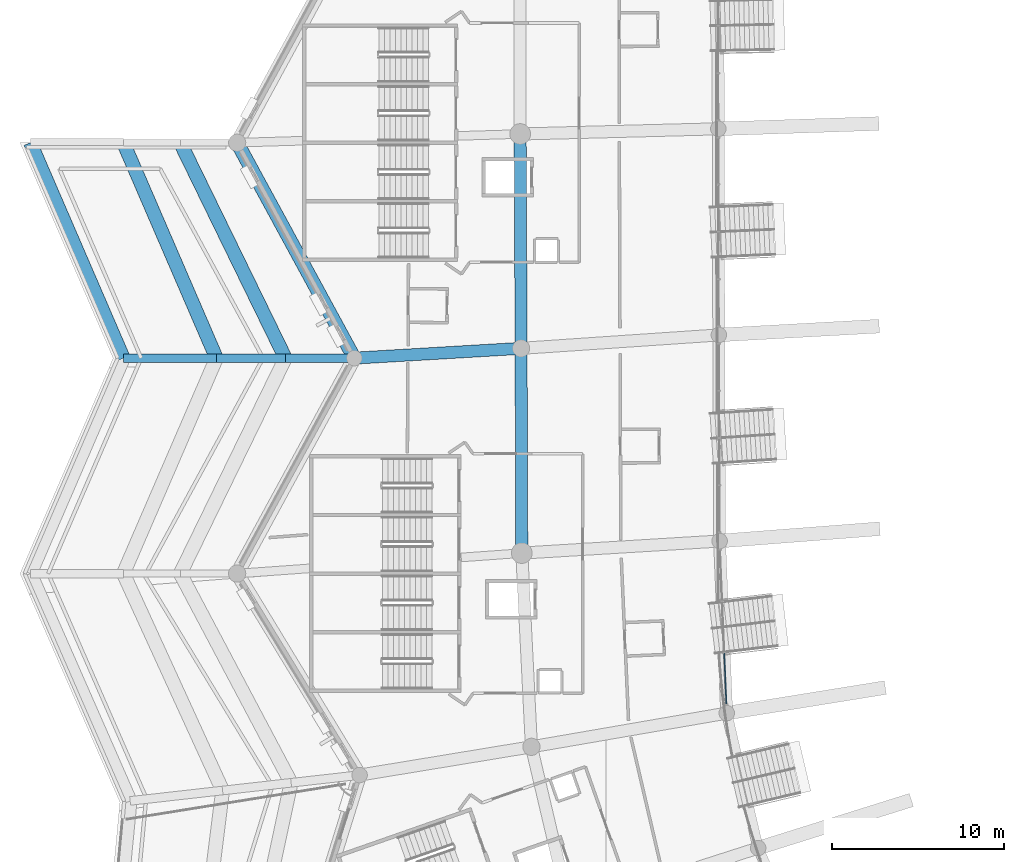
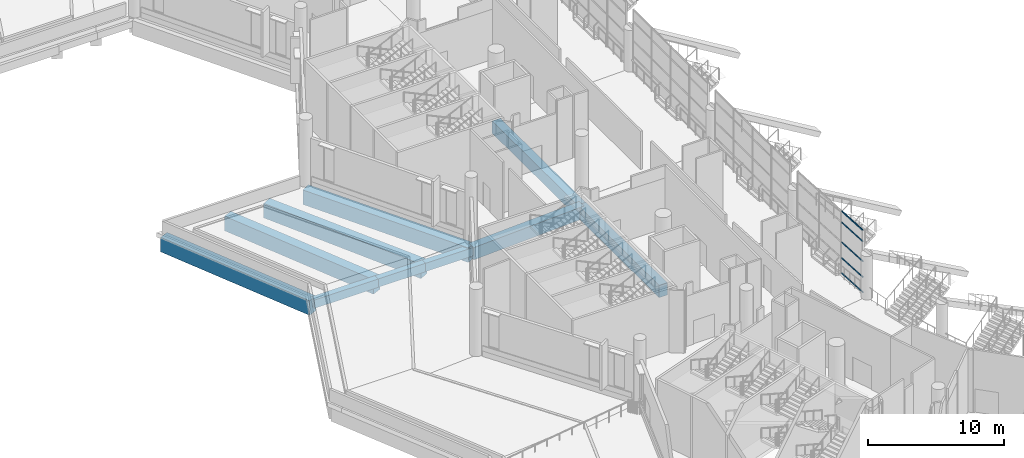
# One storey, part 6 of 173: 10 beams, 5 members, 1 element without a shape of its own.
"""IFC4 building model written with IfcOpenShell, lengths in metres."""

from ifc_helpers import new_model, si_unit, direction, frame, origin, origin_2d, place, context, subcontext, project, spatial, rectangle, extrude, material, layer, layer_set, material_profile, profile_set, type_object, element, aggregate, save


model = new_model("IFC4")

# Units and contexts
model_context = context("Model", 3, precision=1e-05, world=origin(), true_north=direction((0.0, 1.0)))
body_context = subcontext(model_context, "Body", "Model", "MODEL_VIEW")
ifc_project = project(units=[si_unit("LENGTHUNIT", "METRE"), si_unit("AREAUNIT", "SQUARE_METRE"), si_unit("VOLUMEUNIT", "CUBIC_METRE"), si_unit("PLANEANGLEUNIT", "RADIAN"), si_unit("MASSUNIT", "GRAM", prefix="KILO")], contexts=[model_context])

# Site, building, storey
site_placement = place(None, origin())
site = spatial("IfcSite", under=ifc_project, at=site_placement, CompositionType="ELEMENT")
building_placement = place(site_placement, origin())
building = spatial("IfcBuilding", under=site, at=building_placement, Name="Meseta Stadium", CompositionType="ELEMENT")
storey_placement = place(building_placement, frame((0.0, 0.0, 18.0)))
storey = spatial("IfcBuildingStorey", under=building, at=storey_placement, Name="L03", CompositionType="ELEMENT", Elevation=18.0)

# Curtain wall, members
ifc_material_1 = material(Name="Aluminium", Category="aluminium")
ifc_layer = layer(ifc_material_1, 0.25)
ifc_layer_set = layer_set([ifc_layer], Name="Media Centre glazing curtain wall")
curtain_wall_type = type_object("IfcCurtainWallType", Name="Media Centre glazing curtain wall", PredefinedType="NOTDEFINED", material=ifc_layer_set)
curtain_wall_placement = place(storey_placement, origin())
curtain_wall = element("IfcCurtainWall", 1, at=curtain_wall_placement, inside=storey, type_object=curtain_wall_type, Name="Media Centre glazing bay 36", PredefinedType="NOTDEFINED")
ifc_material_2 = material(Name="Aluminium", Category="aluminium")
ifc_material_profile_1 = material_profile(ifc_material_2, rectangle(XDim=0.06005859375, YDim=0.1201171875, at=origin_2d()), Name="CW 60x120")
ifc_profile_set_1 = profile_set([ifc_material_profile_1], Name="Aluminium")
member_type = type_object("IfcMemberType", Name="CW transom 60x120", PredefinedType="USERDEFINED", material=ifc_profile_set_1)
member_1_placement = place(storey_placement, frame((-73.13525390625, -48.38720703125, 0.06005859375), z_axis=(0.041293286358, -0.999147068505, 0.0), x_axis=(0.999147068505, 0.041293286358, 0.0)))
member_1 = element("IfcMember", 2, at=member_1_placement, type_object=member_type, Name="CWM transom 3.1", ObjectType="TRANSOM", PredefinedType="USERDEFINED", context=body_context, shape_type="SweptSolid", body=[
    extrude(rectangle(XDim=0.06005859375, YDim=0.1201171875, at=origin_2d()), origin(), (0.0, 0.0, 1.0), 2.920654296875),
])
member_2_placement = place(storey_placement, frame((-73.13525390625, -48.38720703125, 1.41259765625), z_axis=(0.041293286358, -0.999147068505, 0.0), x_axis=(0.999147068505, 0.041293286358, 0.0)))
member_2 = element("IfcMember", 3, at=member_2_placement, type_object=member_type, Name="CWM transom 3.2", ObjectType="TRANSOM", PredefinedType="USERDEFINED", context=body_context, shape_type="SweptSolid", body=[
    extrude(rectangle(XDim=0.06005859375, YDim=0.1201171875, at=origin_2d()), origin(), (0.0, 0.0, 1.0), 2.920654296875),
])
member_3_placement = place(storey_placement, frame((-73.13525390625, -48.38720703125, 2.824951171875), z_axis=(0.041293286358, -0.999147068505, 0.0), x_axis=(0.999147068505, 0.041293286358, 0.0)))
member_3 = element("IfcMember", 4, at=member_3_placement, type_object=member_type, Name="CWM transom 3.3", ObjectType="TRANSOM", PredefinedType="USERDEFINED", context=body_context, shape_type="SweptSolid", body=[
    extrude(rectangle(XDim=0.06005859375, YDim=0.1201171875, at=origin_2d()), origin(), (0.0, 0.0, 1.0), 2.920654296875),
])
member_4_placement = place(storey_placement, frame((-73.13525390625, -48.38720703125, 4.604736328125), z_axis=(0.041293286358, -0.999147068505, 0.0), x_axis=(0.999147068505, 0.041293286358, 0.0)))
member_4 = element("IfcMember", 5, at=member_4_placement, type_object=member_type, Name="CWM transom 3.4", ObjectType="TRANSOM", PredefinedType="USERDEFINED", context=body_context, shape_type="SweptSolid", body=[
    extrude(rectangle(XDim=0.06005859375, YDim=0.1201171875, at=origin_2d()), origin(), (0.0, 0.0, 1.0), 2.920654296875),
])
member_5_placement = place(storey_placement, frame((-73.13525390625, -48.38720703125, 5.590087890625), z_axis=(0.041293286358, -0.999147068505, 0.0), x_axis=(0.999147068505, 0.041293286358, 0.0)))
member_5 = element("IfcMember", 6, at=member_5_placement, type_object=member_type, Name="CWM transom 3.5", ObjectType="TRANSOM", PredefinedType="USERDEFINED", context=body_context, shape_type="SweptSolid", body=[
    extrude(rectangle(XDim=0.06005859375, YDim=0.1201171875, at=origin_2d()), origin(), (0.0, 0.0, 1.0), 2.920654296875),
])
aggregate(curtain_wall, [member_1, member_2, member_3, member_4, member_5])

# Beams
ifc_material_3 = material(Name="Concrete C40/50", Category="concrete")
ifc_material_profile_2 = material_profile(ifc_material_3, rectangle(XDim=0.5, YDim=0.75, at=origin_2d()), Name="RC 500x750")
ifc_profile_set_2 = profile_set([ifc_material_profile_2], Name="Concrete C40/50")
beam_type_1 = type_object("IfcBeamType", Name="RC beam 500x750", PredefinedType="BEAM", material=ifc_profile_set_2)
for number, where, z_axis, x_axis, name in (
    (7, (-94.60009765625, -31.25, -0.77490234375), (-1.0, 0.0, 0.0), (0.0, -1.0, 0.0), "L03 radial beam frame 35 line R to M"),
    (8, (-98.60009765625, -31.25, -0.77490234375), (-1.0, 0.0, 0.0), (0.0, -1.0, 0.0), "L03 radial beam frame 35 line M to Q"),
):
    element("IfcBeam", number, at=place(storey_placement, frame(where, z_axis=z_axis, x_axis=x_axis)), inside=storey, type_object=beam_type_1, Name=name, PredefinedType="BEAM", context=body_context, shape_type="SweptSolid", body=[
        extrude(rectangle(XDim=0.5, YDim=0.75, at=origin_2d()), origin(), (0.0, 0.0, 1.0), 4.0),
    ])
beam_1_placement = place(storey_placement, frame((-102.60009765625, -31.25, -0.77490234375), z_axis=(-1.0, 0.0, 0.0), x_axis=(0.0, -1.0, 0.0)))
element("IfcBeam", 9, at=beam_1_placement, inside=storey, type_object=beam_type_1, Name="L03 radial beam frame 35 line Q to O", PredefinedType="BEAM", context=body_context, shape_type="SweptSolid", body=[
    extrude(rectangle(XDim=0.5, YDim=0.75, at=origin_2d()), origin(), (0.0, 0.0, 1.0), 5.39990234375),
])
ifc_material_4 = material(Name="Concrete C40/50", Category="concrete")
ifc_material_profile_3 = material_profile(ifc_material_4, rectangle(XDim=0.699951171875, YDim=1.10009765625, at=origin_2d()), Name="RC 700x1100")
ifc_profile_set_3 = profile_set([ifc_material_profile_3], Name="Concrete C40/50")
beam_type_2 = type_object("IfcBeamType", Name="RC beam 700x1100", PredefinedType="BEAM", material=ifc_profile_set_3)
beam_2_placement = place(storey_placement, frame((-84.978515625, -18.24365234375, -0.89990234375), z_axis=(0.004279001378, -0.999990845032, 0.0), x_axis=(0.999990845032, 0.004279001378, 0.0)))
element("IfcBeam", 10, at=beam_2_placement, inside=storey, type_object=beam_type_2, Name="L03 ring beam frame 34 line P", PredefinedType="BEAM", context=body_context, shape_type="SweptSolid", body=[
    extrude(rectangle(XDim=0.699951171875, YDim=1.10009765625, at=origin_2d()), origin(), (0.0, 0.0, 1.0), 12.43798828125),
])
beam_3_placement = place(storey_placement, frame((-84.92529296875, -30.681640625, -0.89990234375), z_axis=(0.003473057557, -0.999993968917, 0.0), x_axis=(0.999993968917, 0.003473057557, 0.0)))
element("IfcBeam", 11, at=beam_3_placement, inside=storey, type_object=beam_type_2, Name="L03 ring beam frame 35 line P", PredefinedType="BEAM", context=body_context, shape_type="SweptSolid", body=[
    extrude(rectangle(XDim=0.699951171875, YDim=1.10009765625, at=origin_2d()), origin(), (0.0, 0.0, 1.0), 11.8798828125),
])
beam_4_placement = place(storey_placement, frame((-84.92529296875, -30.681640625, -0.89990234375), z_axis=(-0.998278887273, -0.058645231896, 0.0), x_axis=(0.058645231896, -0.998278887273, 0.0)))
element("IfcBeam", 12, at=beam_4_placement, inside=storey, type_object=beam_type_2, Name="L03 radial beam frame 35 line P to R", PredefinedType="BEAM", context=body_context, shape_type="SweptSolid", body=[
    extrude(rectangle(XDim=0.699951171875, YDim=1.10009765625, at=origin_2d()), origin(), (0.0, 0.0, 1.0), 9.69140625),
])
ifc_material_5 = material(Name="Concrete C40/50", Category="concrete")
ifc_material_profile_4 = material_profile(ifc_material_5, rectangle(XDim=0.800048828125, YDim=1.300048828125, at=origin_2d()), Name="RC 800x1300")
ifc_profile_set_4 = profile_set([ifc_material_profile_4], Name="Concrete C40/50")
beam_type_3 = type_object("IfcBeamType", Name="RC beam 800x1300", PredefinedType="BEAM", material=ifc_profile_set_4)
beam_5_placement = place(storey_placement, frame((-101.39990234375, -18.75, -1.0), z_axis=(0.47785649891, -0.878437912689, 0.0), x_axis=(0.878437912689, 0.47785649891, 0.0)))
element("IfcBeam", 13, at=beam_5_placement, inside=storey, type_object=beam_type_3, Name="L03 ring beam frame 34 line R", PredefinedType="BEAM", context=body_context, shape_type="SweptSolid", body=[
    extrude(rectangle(XDim=0.800048828125, YDim=1.300048828125, at=origin_2d()), origin(), (0.0, 0.0, 1.0), 14.229736328125),
])
beam_6_placement = place(storey_placement, frame((-104.699951171875, -18.75, -1.050048828125), z_axis=(0.438556770405, -0.898703487882, 0.0), x_axis=(0.898703487882, 0.438556770405, 0.0)))
element("IfcBeam", 14, at=beam_6_placement, inside=storey, type_object=beam_type_3, Name="L03 ring beam frame 34 line M", PredefinedType="BEAM", context=body_context, shape_type="SweptSolid", body=[
    extrude(rectangle(XDim=0.800048828125, YDim=1.300048828125, at=origin_2d()), origin(), (0.0, 0.0, 1.0), 13.908935546875),
])
for number, where, z_axis, x_axis, name in (
    (15, (-108.0, -18.75, -1.050048828125), (0.396570645327, -0.918004206562, 0.0), (0.918004206562, 0.396570645327, 0.0), "L03 ring beam frame 34 line Q"),
    (16, (-113.39990234375, -18.75, -1.050048828125), (0.396570645327, -0.918004206562, 0.0), (0.918004206562, 0.396570645327, 0.0), "L03 ring beam frame 34 line O"),
):
    element("IfcBeam", number, at=place(storey_placement, frame(where, z_axis=z_axis, x_axis=x_axis)), inside=storey, type_object=beam_type_3, Name=name, PredefinedType="BEAM", context=body_context, shape_type="SweptSolid", body=[
        extrude(rectangle(XDim=0.800048828125, YDim=1.300048828125, at=origin_2d()), origin(), (0.0, 0.0, 1.0), 13.616455078125),
    ])

save(model, "model.ifc")
